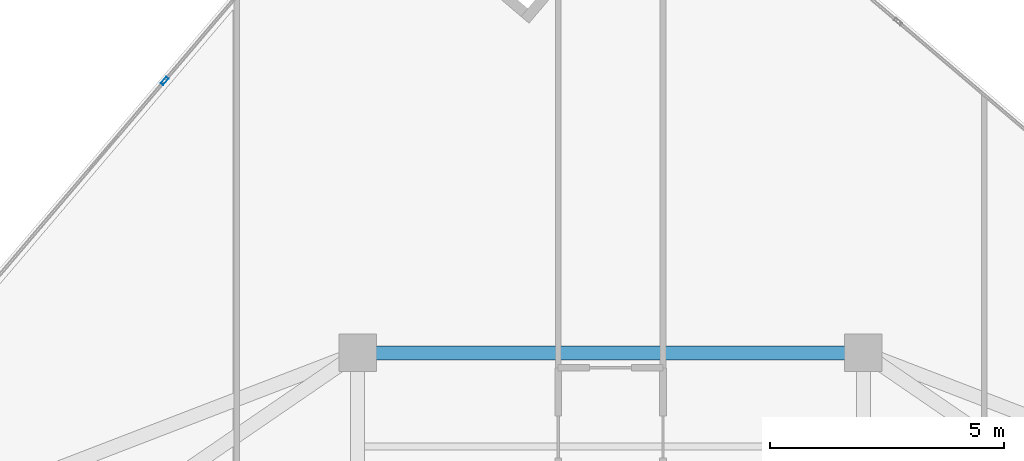
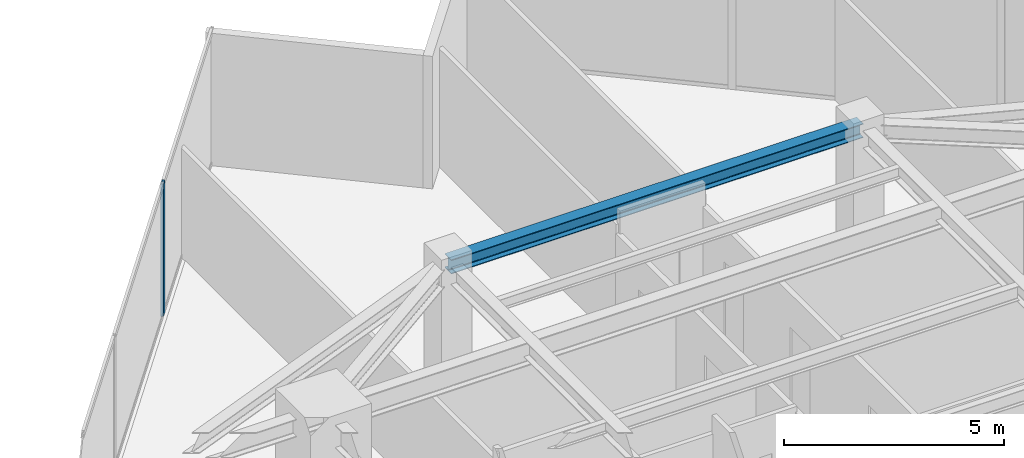
# One storey, part 17 of 26: 1 beam, 1 member, 1 element without a shape of its own.
"""IFC4 building model written with IfcOpenShell, lengths in metres."""

from ifc_helpers import new_model, si_unit, direction, frame, origin, origin_2d, place, context, subcontext, project, spatial, hollow_rectangle, i_section, extrude, source, transform, mapped, material, material_profile, profile_set, type_object, type_shapes, element, aggregate, save


model = new_model("IFC4")

# Units and contexts
model_context = context("Model", 3, precision=1e-05, world=origin(), true_north=direction((0.0, 1.0)))
body_context = subcontext(model_context, "Body", "Model", "MODEL_VIEW")
ifc_project = project(units=[si_unit("LENGTHUNIT", "METRE"), si_unit("AREAUNIT", "SQUARE_METRE"), si_unit("VOLUMEUNIT", "CUBIC_METRE"), si_unit("PLANEANGLEUNIT", "RADIAN"), si_unit("MASSUNIT", "GRAM", prefix="KILO")], contexts=[model_context])

# Site, building, storey
site_placement = place(None, origin())
site = spatial("IfcSite", under=ifc_project, at=site_placement, CompositionType="ELEMENT")
building_placement = place(site_placement, origin())
building = spatial("IfcBuilding", under=site, at=building_placement, Name="Krantzveldt Concourse Tower", CompositionType="ELEMENT")
storey_placement = place(building_placement, frame((0.0, 0.0, 207.300048828125)))
storey = spatial("IfcBuildingStorey", under=building, at=storey_placement, Name="L50", CompositionType="ELEMENT", Elevation=207.300048828125)

# Beam
ifc_material_1 = material(Name="Steel S355JR", Category="steel")
ifc_material_profile_1 = material_profile(ifc_material_1, i_section(OverallWidth=0.300048828125, OverallDepth=0.389892578125, WebThickness=0.010986328125, FlangeThickness=0.01904296875, FilletRadius=0.027099609375, at=origin_2d()), Name="Steel S355JR", Category="steel")
ifc_profile_set_1 = profile_set([ifc_material_profile_1], Name="Steel S355JR - HEA 400")
beam_type = type_object("IfcBeamType", Name="BM-SP-HEA400", PredefinedType="SPANDREL", material=ifc_profile_set_1)
shared_shape_1 = source(origin(), body_context, "Body", "SweptSolid", [
    extrude(i_section(OverallWidth=0.300048828125, OverallDepth=0.389892578125, WebThickness=0.010986328125, FlangeThickness=0.01904296875, FilletRadius=0.027099609375, at=origin_2d()), origin(), (0.0, 0.0, 1.0), 10.7998046875),
])
type_shapes(beam_type, [shared_shape_1])
beam_placement = place(storey_placement, frame((30.60009765625, 41.199951171875, 3.474853515625), z_axis=(1.0, 0.0, 0.0), x_axis=(0.0, 1.0, 0.0)))
element("IfcBeam", 1, at=beam_placement, inside=storey, type_object=beam_type, Name="L50 Tower Girder SP-R04", PredefinedType="SPANDREL", context=body_context, shape_type="MappedRepresentation", body=[
    mapped(shared_shape_1, transform((0.0, 0.0, 0.0), x_axis=(1.0, 0.0, 0.0), y_axis=(0.0, 1.0, 0.0), z_axis=(0.0, 0.0, 1.0), scale=1.0)),
])

# Curtain wall, member
ifc_material_2 = material(Name="Anodised aluminium 6063-T6", Category="aluminium")
curtain_wall_type = type_object("IfcCurtainWallType", Name="CW3", PredefinedType="USERDEFINED", material=ifc_material_2)
curtain_wall_placement = place(storey_placement, origin())
curtain_wall = element("IfcCurtainWall", 2, at=curtain_wall_placement, inside=storey, type_object=curtain_wall_type, Name="CW-L50-F01", ObjectType="UNITISED CURTAIN WALL", PredefinedType="USERDEFINED")
ifc_material_profile_2 = material_profile(ifc_material_2, hollow_rectangle(XDim=0.070068359375, YDim=0.179931640625, WallThickness=0.0048828125, at=origin_2d()), Name="Anodised aluminium 6063-T6", Category="aluminium")
ifc_profile_set_2 = profile_set([ifc_material_profile_2], Name="Anodised aluminium 6063-T6 - ALU-MULL 180x70x5")
member_type = type_object("IfcMemberType", Name="CW-MUL-180", PredefinedType="MULLION", material=ifc_profile_set_2)
shared_shape_2 = source(origin(), body_context, "Body", "SweptSolid", [
    extrude(hollow_rectangle(XDim=0.070068359375, YDim=0.179931640625, WallThickness=0.0048828125, at=origin_2d()), origin(), (0.0, 0.0, 1.0), 3.669921875),
])
type_shapes(member_type, [shared_shape_2])
member_placement = place(storey_placement, frame((26.4755859375, 47.00634765625, 0.0), z_axis=(0.0, 0.0, 1.0), x_axis=(0.761820912327, -0.647787694805, 0.0)))
member = element("IfcMember", 3, at=member_placement, type_object=member_type, Name="CW-Z34 mullion 2", PredefinedType="MULLION", context=body_context, shape_type="MappedRepresentation", body=[
    mapped(shared_shape_2, transform((0.0, 0.0, 0.0), x_axis=(1.0, 0.0, 0.0), y_axis=(0.0, 1.0, 0.0), z_axis=(0.0, 0.0, 1.0), scale=1.0)),
])
aggregate(curtain_wall, [member])

save(model, "model.ifc")
